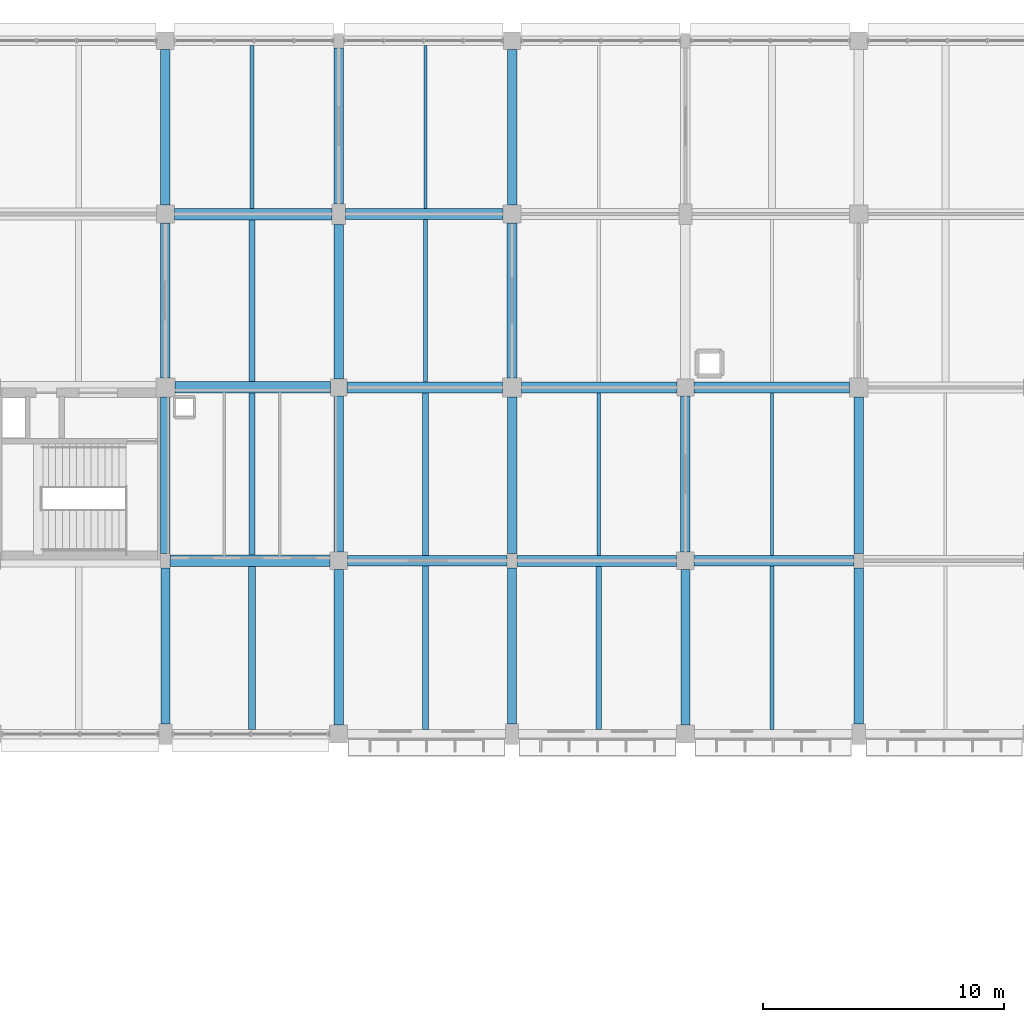
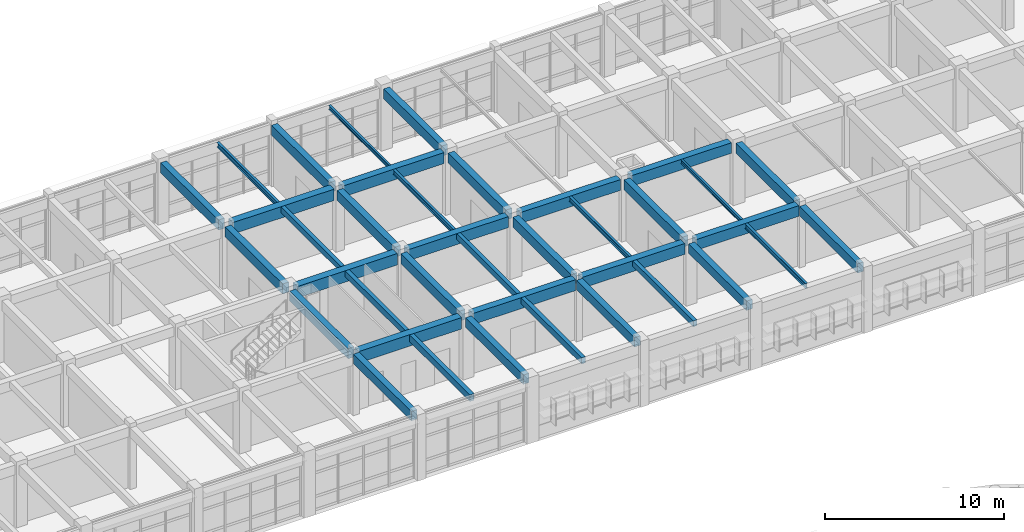
# One storey, part 78 of 171: 38 beams.
"""IFC4 building model written with IfcOpenShell, lengths in metres."""

from ifc_helpers import new_model, si_unit, direction, frame, origin, origin_2d, place, context, subcontext, project, spatial, rectangle, i_section, extrude, material, material_profile, profile_set, type_object, element, save


model = new_model("IFC4")

# Units and contexts
model_context = context("Model", 3, precision=1e-05, world=origin(), true_north=direction((0.0, 1.0)))
body_context = subcontext(model_context, "Body", "Model", "MODEL_VIEW")
ifc_project = project(units=[si_unit("LENGTHUNIT", "METRE"), si_unit("AREAUNIT", "SQUARE_METRE"), si_unit("VOLUMEUNIT", "CUBIC_METRE"), si_unit("PLANEANGLEUNIT", "RADIAN"), si_unit("MASSUNIT", "GRAM", prefix="KILO")], contexts=[model_context])

# Site, building, storey
site_placement = place(None, origin())
site = spatial("IfcSite", under=ifc_project, at=site_placement, CompositionType="ELEMENT")
building_placement = place(site_placement, origin())
building = spatial("IfcBuilding", under=site, at=building_placement, Name="Thalmaran Polytechnic", CompositionType="ELEMENT")
storey_placement = place(building_placement, frame((0.0, 0.0, 5.39990234375)))
storey = spatial("IfcBuildingStorey", under=building, at=storey_placement, Name="L01", CompositionType="ELEMENT", Elevation=5.39990234375)

# Beams
ifc_material_1 = material(Name="Concrete C40/50", Category="concrete")
ifc_material_profile_1 = material_profile(ifc_material_1, rectangle(XDim=0.449951171875, YDim=0.75, at=origin_2d()), Name="RC 450x750")
ifc_profile_set_1 = profile_set([ifc_material_profile_1], Name="Concrete C40/50")
beam_type_1 = type_object("IfcBeamType", Name="BM-RC03", PredefinedType="BEAM", material=ifc_profile_set_1)
beam_1_placement = place(storey_placement, frame((72.360107421875, 100.800048828125, 3.835205078125), z_axis=(1.0, 0.0, 0.0), x_axis=(0.0, 1.0, 0.0)))
element("IfcBeam", 1, at=beam_1_placement, inside=storey, type_object=beam_type_1, Name="Grid Beam B03 L01 X(10,14)", PredefinedType="BEAM", context=body_context, shape_type="SweptSolid", body=[
    extrude(rectangle(XDim=0.449951171875, YDim=0.75, at=origin_2d()), origin(), (0.0, 0.0, 1.0), 6.639892578125),
])
beam_2_placement = place(storey_placement, frame((72.35009765625, 108.0, 3.835205078125), z_axis=(1.0, 0.0, 0.0), x_axis=(0.0, 1.0, 0.0)))
element("IfcBeam", 2, at=beam_2_placement, inside=storey, type_object=beam_type_1, Name="Grid Beam B03 L01 X(10,15)", PredefinedType="BEAM", context=body_context, shape_type="SweptSolid", body=[
    extrude(rectangle(XDim=0.449951171875, YDim=0.75, at=origin_2d()), origin(), (0.0, 0.0, 1.0), 6.4599609375),
])
beam_3_placement = place(storey_placement, frame((72.27490234375, 115.199951171875, 3.835205078125), z_axis=(1.0, 0.0, 0.0), x_axis=(0.0, 1.0, 0.0)))
element("IfcBeam", 3, at=beam_3_placement, inside=storey, type_object=beam_type_1, Name="Grid Beam B03 L01 X(10,16)", PredefinedType="BEAM", context=body_context, shape_type="SweptSolid", body=[
    extrude(rectangle(XDim=0.449951171875, YDim=0.75, at=origin_2d()), origin(), (0.0, 0.0, 1.0), 6.550048828125),
])
ifc_material_profile_2 = material_profile(ifc_material_1, rectangle(XDim=0.449951171875, YDim=0.72509765625, at=origin_2d()), Name="RC 450x725")
ifc_profile_set_2 = profile_set([ifc_material_profile_2], Name="Concrete C40/50")
beam_type_2 = type_object("IfcBeamType", Name="BM-RC04", PredefinedType="BEAM", material=ifc_profile_set_2)
beam_4_placement = place(storey_placement, frame((86.760009765625, 100.800048828125, 3.84765625), z_axis=(1.0, 0.0, 0.0), x_axis=(0.0, 1.0, 0.0)))
element("IfcBeam", 4, at=beam_4_placement, inside=storey, type_object=beam_type_2, Name="Grid Beam B04 L01 X(12,14)", PredefinedType="BEAM", context=body_context, shape_type="SweptSolid", body=[
    extrude(rectangle(XDim=0.449951171875, YDim=0.72509765625, at=origin_2d()), origin(), (0.0, 0.0, 1.0), 6.639892578125),
])
beam_5_placement = place(storey_placement, frame((86.75, 108.0, 3.84765625), z_axis=(1.0, 0.0, 0.0), x_axis=(0.0, 1.0, 0.0)))
element("IfcBeam", 5, at=beam_5_placement, inside=storey, type_object=beam_type_2, Name="Grid Beam B04 L01 X(12,15)", PredefinedType="BEAM", context=body_context, shape_type="SweptSolid", body=[
    extrude(rectangle(XDim=0.449951171875, YDim=0.72509765625, at=origin_2d()), origin(), (0.0, 0.0, 1.0), 6.4599609375),
])
ifc_material_profile_3 = material_profile(ifc_material_1, rectangle(XDim=0.389892578125, YDim=0.68505859375, at=origin_2d()), Name="RC 390x685")
ifc_profile_set_3 = profile_set([ifc_material_profile_3], Name="Concrete C40/50")
beam_type_3 = type_object("IfcBeamType", Name="BM-RC08", PredefinedType="BEAM", material=ifc_profile_set_3)
beam_6_placement = place(storey_placement, frame((64.800048828125, 101.10009765625, 3.86767578125), z_axis=(0.0, 1.0, 0.0), x_axis=(-1.0, 0.0, 0.0)))
element("IfcBeam", 6, at=beam_6_placement, inside=storey, type_object=beam_type_3, Name="Grid Beam B08 L01 Y(9,14)", PredefinedType="BEAM", context=body_context, shape_type="SweptSolid", body=[
    extrude(rectangle(XDim=0.389892578125, YDim=0.68505859375, at=origin_2d()), origin(), (0.0, 0.0, 1.0), 6.510009765625),
])
beam_7_placement = place(storey_placement, frame((72.0, 101.159912109375, 3.86767578125), z_axis=(0.0, 1.0, 0.0), x_axis=(-1.0, 0.0, 0.0)))
element("IfcBeam", 7, at=beam_7_placement, inside=storey, type_object=beam_type_3, Name="Grid Beam B08 L01 Y(10,14)", PredefinedType="BEAM", context=body_context, shape_type="SweptSolid", body=[
    extrude(rectangle(XDim=0.389892578125, YDim=0.68505859375, at=origin_2d()), origin(), (0.0, 0.0, 1.0), 6.489990234375),
])
beam_8_placement = place(storey_placement, frame((79.199951171875, 101.10009765625, 3.86767578125), z_axis=(0.0, 1.0, 0.0), x_axis=(-1.0, 0.0, 0.0)))
element("IfcBeam", 8, at=beam_8_placement, inside=storey, type_object=beam_type_3, Name="Grid Beam B08 L01 Y(11,14)", PredefinedType="BEAM", context=body_context, shape_type="SweptSolid", body=[
    extrude(rectangle(XDim=0.389892578125, YDim=0.68505859375, at=origin_2d()), origin(), (0.0, 0.0, 1.0), 6.510009765625),
])
beam_9_placement = place(storey_placement, frame((86.39990234375, 101.159912109375, 3.86767578125), z_axis=(0.0, 1.0, 0.0), x_axis=(-1.0, 0.0, 0.0)))
element("IfcBeam", 9, at=beam_9_placement, inside=storey, type_object=beam_type_3, Name="Grid Beam B08 L01 Y(12,14)", PredefinedType="BEAM", context=body_context, shape_type="SweptSolid", body=[
    extrude(rectangle(XDim=0.389892578125, YDim=0.68505859375, at=origin_2d()), origin(), (0.0, 0.0, 1.0), 6.489990234375),
])
beam_10_placement = place(storey_placement, frame((93.60009765625, 101.10009765625, 3.86767578125), z_axis=(0.0, 1.0, 0.0), x_axis=(-1.0, 0.0, 0.0)))
element("IfcBeam", 10, at=beam_10_placement, inside=storey, type_object=beam_type_3, Name="Grid Beam B08 L01 Y(13,14)", PredefinedType="BEAM", context=body_context, shape_type="SweptSolid", body=[
    extrude(rectangle(XDim=0.389892578125, YDim=0.68505859375, at=origin_2d()), origin(), (0.0, 0.0, 1.0), 6.510009765625),
])
ifc_material_profile_4 = material_profile(ifc_material_1, rectangle(XDim=0.389892578125, YDim=0.68994140625, at=origin_2d()), Name="RC 390x690")
ifc_profile_set_4 = profile_set([ifc_material_profile_4], Name="Concrete C40/50")
beam_type_4 = type_object("IfcBeamType", Name="BM-RC09", PredefinedType="BEAM", material=ifc_profile_set_4)
beam_11_placement = place(storey_placement, frame((64.800048828125, 115.574951171875, 3.864990234375), z_axis=(0.0, 1.0, 0.0), x_axis=(-1.0, 0.0, 0.0)))
element("IfcBeam", 11, at=beam_11_placement, inside=storey, type_object=beam_type_4, Name="Grid Beam B09 L01 Y(9,16)", PredefinedType="BEAM", context=body_context, shape_type="SweptSolid", body=[
    extrude(rectangle(XDim=0.389892578125, YDim=0.68994140625, at=origin_2d()), origin(), (0.0, 0.0, 1.0), 6.465087890625),
])
beam_12_placement = place(storey_placement, frame((72.0, 115.625, 3.864990234375), z_axis=(0.0, 1.0, 0.0), x_axis=(-1.0, 0.0, 0.0)))
element("IfcBeam", 12, at=beam_12_placement, inside=storey, type_object=beam_type_4, Name="Grid Beam B09 L01 Y(10,16)", PredefinedType="BEAM", context=body_context, shape_type="SweptSolid", body=[
    extrude(rectangle(XDim=0.389892578125, YDim=0.68994140625, at=origin_2d()), origin(), (0.0, 0.0, 1.0), 6.47509765625),
])
beam_13_placement = place(storey_placement, frame((79.199951171875, 115.574951171875, 3.864990234375), z_axis=(0.0, 1.0, 0.0), x_axis=(-1.0, 0.0, 0.0)))
element("IfcBeam", 13, at=beam_13_placement, inside=storey, type_object=beam_type_4, Name="Grid Beam B09 L01 Y(11,16)", PredefinedType="BEAM", context=body_context, shape_type="SweptSolid", body=[
    extrude(rectangle(XDim=0.389892578125, YDim=0.68994140625, at=origin_2d()), origin(), (0.0, 0.0, 1.0), 6.465087890625),
])
ifc_material_profile_5 = material_profile(ifc_material_1, rectangle(XDim=0.280029296875, YDim=0.449951171875, at=origin_2d()), Name="RC 280x450")
ifc_profile_set_5 = profile_set([ifc_material_profile_5], Name="Concrete C40/50")
beam_type_5 = type_object("IfcBeamType", Name="BM-RC13", PredefinedType="JOIST", material=ifc_profile_set_5)
beam_14_placement = place(storey_placement, frame((68.39990234375, 93.800048828125, 3.985107421875), z_axis=(0.0, 1.0, 0.0), x_axis=(-1.0, 0.0, 0.0)))
element("IfcBeam", 14, at=beam_14_placement, inside=storey, type_object=beam_type_5, Name="Secondary Floor Rib RB03 L01 (9,13)", PredefinedType="JOIST", context=body_context, shape_type="SweptSolid", body=[
    extrude(rectangle(XDim=0.280029296875, YDim=0.449951171875, at=origin_2d()), origin(), (0.0, 0.0, 1.0), 6.760009765625),
])
ifc_material_2 = material(Name="Steel S355", Category="steel")
ifc_material_profile_6 = material_profile(ifc_material_2, i_section(OverallWidth=0.159912109375, OverallDepth=0.330078125, WebThickness=0.007568359375, FlangeThickness=0.011474609375, at=origin_2d()), Name="IPE 330")
ifc_profile_set_6 = profile_set([ifc_material_profile_6], Name="Steel S355")
beam_type_6 = type_object("IfcBeamType", Name="BM-SJ02", PredefinedType="JOIST", material=ifc_profile_set_6)
beam_15_placement = place(storey_placement, frame((68.39990234375, 115.43994140625, 4.045166015625), z_axis=(0.0, 1.0, 0.0), x_axis=(-1.0, 0.0, 0.0)))
element("IfcBeam", 15, at=beam_15_placement, inside=storey, type_object=beam_type_6, Name="Secondary Floor Rib SJ02 L01 (9,16)", PredefinedType="JOIST", context=body_context, shape_type="SweptSolid", body=[
    extrude(i_section(OverallWidth=0.159912109375, OverallDepth=0.330078125, WebThickness=0.007568359375, FlangeThickness=0.011474609375, at=origin_2d()), origin(), (0.0, 0.0, 1.0), 6.760009765625),
])
beam_16_placement = place(storey_placement, frame((75.60009765625, 108.22509765625, 4.045166015625), z_axis=(0.0, 1.0, 0.0), x_axis=(-1.0, 0.0, 0.0)))
element("IfcBeam", 16, at=beam_16_placement, inside=storey, type_object=beam_type_6, Name="Secondary Floor Rib SJ02 L01 (10,15)", PredefinedType="JOIST", context=body_context, shape_type="SweptSolid", body=[
    extrude(i_section(OverallWidth=0.159912109375, OverallDepth=0.330078125, WebThickness=0.007568359375, FlangeThickness=0.011474609375, at=origin_2d()), origin(), (0.0, 0.0, 1.0), 6.75),
])
beam_17_placement = place(storey_placement, frame((82.800048828125, 101.030029296875, 4.045166015625), z_axis=(0.0, 1.0, 0.0), x_axis=(-1.0, 0.0, 0.0)))
element("IfcBeam", 17, at=beam_17_placement, inside=storey, type_object=beam_type_6, Name="Secondary Floor Rib SJ02 L01 (11,14)", PredefinedType="JOIST", context=body_context, shape_type="SweptSolid", body=[
    extrude(i_section(OverallWidth=0.159912109375, OverallDepth=0.330078125, WebThickness=0.007568359375, FlangeThickness=0.011474609375, at=origin_2d()), origin(), (0.0, 0.0, 1.0), 6.739990234375),
])
beam_18_placement = place(storey_placement, frame((90.0, 93.800048828125, 4.045166015625), z_axis=(0.0, 1.0, 0.0), x_axis=(-1.0, 0.0, 0.0)))
element("IfcBeam", 18, at=beam_18_placement, inside=storey, type_object=beam_type_6, Name="Secondary Floor Rib SJ02 L01 (12,13)", PredefinedType="JOIST", context=body_context, shape_type="SweptSolid", body=[
    extrude(i_section(OverallWidth=0.159912109375, OverallDepth=0.330078125, WebThickness=0.007568359375, FlangeThickness=0.011474609375, at=origin_2d()), origin(), (0.0, 0.0, 1.0), 6.77490234375),
])
ifc_material_profile_7 = material_profile(ifc_material_2, i_section(OverallWidth=0.135009765625, OverallDepth=0.27001953125, WebThickness=0.006591796875, FlangeThickness=0.01025390625, at=origin_2d()), Name="IPE 270")
ifc_profile_set_7 = profile_set([ifc_material_profile_7], Name="Steel S355")
beam_type_7 = type_object("IfcBeamType", Name="BM-SJ03", PredefinedType="JOIST", material=ifc_profile_set_7)
beam_19_placement = place(storey_placement, frame((75.60009765625, 115.425048828125, 4.0751953125), z_axis=(0.0, 1.0, 0.0), x_axis=(-1.0, 0.0, 0.0)))
element("IfcBeam", 19, at=beam_19_placement, inside=storey, type_object=beam_type_7, Name="Secondary Floor Rib SJ03 L01 (10,16)", PredefinedType="JOIST", context=body_context, shape_type="SweptSolid", body=[
    extrude(i_section(OverallWidth=0.135009765625, OverallDepth=0.27001953125, WebThickness=0.006591796875, FlangeThickness=0.01025390625, at=origin_2d()), origin(), (0.0, 0.0, 1.0), 6.77490234375),
])
beam_20_placement = place(storey_placement, frame((90.0, 101.02490234375, 4.0751953125), z_axis=(0.0, 1.0, 0.0), x_axis=(-1.0, 0.0, 0.0)))
element("IfcBeam", 20, at=beam_20_placement, inside=storey, type_object=beam_type_7, Name="Secondary Floor Rib SJ03 L01 (12,14)", PredefinedType="JOIST", context=body_context, shape_type="SweptSolid", body=[
    extrude(i_section(OverallWidth=0.135009765625, OverallDepth=0.27001953125, WebThickness=0.006591796875, FlangeThickness=0.01025390625, at=origin_2d()), origin(), (0.0, 0.0, 1.0), 6.75),
])
ifc_material_profile_8 = material_profile(ifc_material_1, rectangle(XDim=0.47998046875, YDim=0.780029296875, at=origin_2d()), Name="RC 480x780")
ifc_profile_set_8 = profile_set([ifc_material_profile_8], Name="Concrete C40/50")
beam_type_8 = type_object("IfcBeamType", Name="BM-ZB01", PredefinedType="BEAM", material=ifc_profile_set_8)
beam_21_placement = place(storey_placement, frame((65.0, 100.800048828125, 3.820068359375), z_axis=(1.0, 0.0, 0.0), x_axis=(0.0, 1.0, 0.0)))
element("IfcBeam", 21, at=beam_21_placement, inside=storey, type_object=beam_type_8, Name="Grid Beam ZB01 L01 X(9,14)", PredefinedType="BEAM", context=body_context, shape_type="SweptSolid", body=[
    extrude(rectangle(XDim=0.47998046875, YDim=0.780029296875, at=origin_2d()), origin(), (0.0, 0.0, 1.0), 6.639892578125),
])
beam_22_placement = place(storey_placement, frame((65.18994140625, 108.0, 3.820068359375), z_axis=(1.0, 0.0, 0.0), x_axis=(0.0, 1.0, 0.0)))
element("IfcBeam", 22, at=beam_22_placement, inside=storey, type_object=beam_type_8, Name="Grid Beam ZB01 L01 X(9,15)", PredefinedType="BEAM", context=body_context, shape_type="SweptSolid", body=[
    extrude(rectangle(XDim=0.47998046875, YDim=0.780029296875, at=origin_2d()), origin(), (0.0, 0.0, 1.0), 6.4599609375),
])
beam_23_placement = place(storey_placement, frame((65.175048828125, 115.199951171875, 3.820068359375), z_axis=(1.0, 0.0, 0.0), x_axis=(0.0, 1.0, 0.0)))
element("IfcBeam", 23, at=beam_23_placement, inside=storey, type_object=beam_type_8, Name="Grid Beam ZB01 L01 X(9,16)", PredefinedType="BEAM", context=body_context, shape_type="SweptSolid", body=[
    extrude(rectangle(XDim=0.47998046875, YDim=0.780029296875, at=origin_2d()), origin(), (0.0, 0.0, 1.0), 6.550048828125),
])
ifc_material_profile_9 = material_profile(ifc_material_1, rectangle(XDim=0.4599609375, YDim=0.739990234375, at=origin_2d()), Name="RC 460x740")
ifc_profile_set_9 = profile_set([ifc_material_profile_9], Name="Concrete C40/50")
beam_type_9 = type_object("IfcBeamType", Name="BM-ZB02", PredefinedType="BEAM", material=ifc_profile_set_9)
beam_24_placement = place(storey_placement, frame((79.39990234375, 100.800048828125, 3.840087890625), z_axis=(1.0, 0.0, 0.0), x_axis=(0.0, 1.0, 0.0)))
element("IfcBeam", 24, at=beam_24_placement, inside=storey, type_object=beam_type_9, Name="Grid Beam ZB02 L01 X(11,14)", PredefinedType="BEAM", context=body_context, shape_type="SweptSolid", body=[
    extrude(rectangle(XDim=0.4599609375, YDim=0.739990234375, at=origin_2d()), origin(), (0.0, 0.0, 1.0), 6.64013671875),
])
beam_25_placement = place(storey_placement, frame((79.590087890625, 108.0, 3.840087890625), z_axis=(1.0, 0.0, 0.0), x_axis=(0.0, 1.0, 0.0)))
element("IfcBeam", 25, at=beam_25_placement, inside=storey, type_object=beam_type_9, Name="Grid Beam ZB02 L01 X(11,15)", PredefinedType="BEAM", context=body_context, shape_type="SweptSolid", body=[
    extrude(rectangle(XDim=0.4599609375, YDim=0.739990234375, at=origin_2d()), origin(), (0.0, 0.0, 1.0), 6.4599609375),
])
ifc_material_profile_10 = material_profile(ifc_material_1, rectangle(XDim=0.3798828125, YDim=0.635009765625, at=origin_2d()), Name="RC 380x635")
ifc_profile_set_10 = profile_set([ifc_material_profile_10], Name="Concrete C40/50")
beam_type_10 = type_object("IfcBeamType", Name="BM-ZB06", PredefinedType="BEAM", material=ifc_profile_set_10)
beam_26_placement = place(storey_placement, frame((64.800048828125, 94.02490234375, 3.892578125), z_axis=(0.0, 1.0, 0.0), x_axis=(-1.0, 0.0, 0.0)))
element("IfcBeam", 26, at=beam_26_placement, inside=storey, type_object=beam_type_10, Name="Grid Beam ZB06 L01 Y(9,13)", PredefinedType="BEAM", context=body_context, shape_type="SweptSolid", body=[
    extrude(rectangle(XDim=0.3798828125, YDim=0.635009765625, at=origin_2d()), origin(), (0.0, 0.0, 1.0), 6.47509765625),
])
beam_27_placement = place(storey_placement, frame((72.0, 93.97509765625, 3.892578125), z_axis=(0.0, 1.0, 0.0), x_axis=(-1.0, 0.0, 0.0)))
element("IfcBeam", 27, at=beam_27_placement, inside=storey, type_object=beam_type_10, Name="Grid Beam ZB06 L01 Y(10,13)", PredefinedType="BEAM", context=body_context, shape_type="SweptSolid", body=[
    extrude(rectangle(XDim=0.3798828125, YDim=0.635009765625, at=origin_2d()), origin(), (0.0, 0.0, 1.0), 6.46484375),
])
beam_28_placement = place(storey_placement, frame((79.199951171875, 94.02490234375, 3.892578125), z_axis=(0.0, 1.0, 0.0), x_axis=(-1.0, 0.0, 0.0)))
element("IfcBeam", 28, at=beam_28_placement, inside=storey, type_object=beam_type_10, Name="Grid Beam ZB06 L01 Y(11,13)", PredefinedType="BEAM", context=body_context, shape_type="SweptSolid", body=[
    extrude(rectangle(XDim=0.3798828125, YDim=0.635009765625, at=origin_2d()), origin(), (0.0, 0.0, 1.0), 6.47509765625),
])
beam_29_placement = place(storey_placement, frame((86.39990234375, 93.97509765625, 3.892578125), z_axis=(0.0, 1.0, 0.0), x_axis=(-1.0, 0.0, 0.0)))
element("IfcBeam", 29, at=beam_29_placement, inside=storey, type_object=beam_type_10, Name="Grid Beam ZB06 L01 Y(12,13)", PredefinedType="BEAM", context=body_context, shape_type="SweptSolid", body=[
    extrude(rectangle(XDim=0.3798828125, YDim=0.635009765625, at=origin_2d()), origin(), (0.0, 0.0, 1.0), 6.46484375),
])
beam_30_placement = place(storey_placement, frame((93.60009765625, 94.02490234375, 3.892578125), z_axis=(0.0, 1.0, 0.0), x_axis=(-1.0, 0.0, 0.0)))
element("IfcBeam", 30, at=beam_30_placement, inside=storey, type_object=beam_type_10, Name="Grid Beam ZB06 L01 Y(13,13)", PredefinedType="BEAM", context=body_context, shape_type="SweptSolid", body=[
    extrude(rectangle(XDim=0.3798828125, YDim=0.635009765625, at=origin_2d()), origin(), (0.0, 0.0, 1.0), 6.47509765625),
])
ifc_material_profile_11 = material_profile(ifc_material_1, rectangle(XDim=0.39990234375, YDim=0.68505859375, at=origin_2d()), Name="RC 400x685")
ifc_profile_set_11 = profile_set([ifc_material_profile_11], Name="Concrete C40/50")
beam_type_11 = type_object("IfcBeamType", Name="BM-ZB07", PredefinedType="BEAM", material=ifc_profile_set_11)
beam_31_placement = place(storey_placement, frame((64.800048828125, 108.389892578125, 3.86767578125), z_axis=(0.0, 1.0, 0.0), x_axis=(-1.0, 0.0, 0.0)))
element("IfcBeam", 31, at=beam_31_placement, inside=storey, type_object=beam_type_11, Name="Grid Beam ZB07 L01 Y(9,15)", PredefinedType="BEAM", context=body_context, shape_type="SweptSolid", body=[
    extrude(rectangle(XDim=0.39990234375, YDim=0.68505859375, at=origin_2d()), origin(), (0.0, 0.0, 1.0), 6.43505859375),
])
beam_32_placement = place(storey_placement, frame((72.0, 108.35009765625, 3.86767578125), z_axis=(0.0, 1.0, 0.0), x_axis=(-1.0, 0.0, 0.0)))
element("IfcBeam", 32, at=beam_32_placement, inside=storey, type_object=beam_type_11, Name="Grid Beam ZB07 L01 Y(10,15)", PredefinedType="BEAM", context=body_context, shape_type="SweptSolid", body=[
    extrude(rectangle(XDim=0.39990234375, YDim=0.68505859375, at=origin_2d()), origin(), (0.0, 0.0, 1.0), 6.4248046875),
])
beam_33_placement = place(storey_placement, frame((79.199951171875, 108.389892578125, 3.86767578125), z_axis=(0.0, 1.0, 0.0), x_axis=(-1.0, 0.0, 0.0)))
element("IfcBeam", 33, at=beam_33_placement, inside=storey, type_object=beam_type_11, Name="Grid Beam ZB07 L01 Y(11,15)", PredefinedType="BEAM", context=body_context, shape_type="SweptSolid", body=[
    extrude(rectangle(XDim=0.39990234375, YDim=0.68505859375, at=origin_2d()), origin(), (0.0, 0.0, 1.0), 6.43505859375),
])
ifc_material_profile_12 = material_profile(ifc_material_1, rectangle(XDim=0.25, YDim=0.419921875, at=origin_2d()), Name="RC 250x420")
ifc_profile_set_12 = profile_set([ifc_material_profile_12], Name="Concrete C40/50")
beam_type_12 = type_object("IfcBeamType", Name="BM-ZJ03", PredefinedType="JOIST", material=ifc_profile_set_12)
beam_34_placement = place(storey_placement, frame((68.39990234375, 101.0400390625, 4.0), z_axis=(0.0, 1.0, 0.0), x_axis=(-1.0, 0.0, 0.0)))
element("IfcBeam", 34, at=beam_34_placement, inside=storey, type_object=beam_type_12, Name="Secondary Floor Rib ZJ03 L01 (9,14)", PredefinedType="JOIST", context=body_context, shape_type="SweptSolid", body=[
    extrude(rectangle(XDim=0.25, YDim=0.419921875, at=origin_2d()), origin(), (0.0, 0.0, 1.0), 6.719970703125),
])
beam_35_placement = place(storey_placement, frame((75.60009765625, 93.800048828125, 4.0), z_axis=(0.0, 1.0, 0.0), x_axis=(-1.0, 0.0, 0.0)))
element("IfcBeam", 35, at=beam_35_placement, inside=storey, type_object=beam_type_12, Name="Secondary Floor Rib ZJ03 L01 (10,13)", PredefinedType="JOIST", context=body_context, shape_type="SweptSolid", body=[
    extrude(rectangle(XDim=0.25, YDim=0.419921875, at=origin_2d()), origin(), (0.0, 0.0, 1.0), 6.77490234375),
])
ifc_material_profile_13 = material_profile(ifc_material_1, rectangle(XDim=0.239990234375, YDim=0.39990234375, at=origin_2d()), Name="RC 240x400")
ifc_profile_set_13 = profile_set([ifc_material_profile_13], Name="Concrete C40/50")
beam_type_13 = type_object("IfcBeamType", Name="BM-ZJ04", PredefinedType="JOIST", material=ifc_profile_set_13)
beam_36_placement = place(storey_placement, frame((68.39990234375, 108.239990234375, 4.010009765625), z_axis=(0.0, 1.0, 0.0), x_axis=(-1.0, 0.0, 0.0)))
element("IfcBeam", 36, at=beam_36_placement, inside=storey, type_object=beam_type_13, Name="Secondary Floor Rib ZJ04 L01 (9,15)", PredefinedType="JOIST", context=body_context, shape_type="SweptSolid", body=[
    extrude(rectangle(XDim=0.239990234375, YDim=0.39990234375, at=origin_2d()), origin(), (0.0, 0.0, 1.0), 6.719970703125),
])
beam_37_placement = place(storey_placement, frame((75.60009765625, 101.02490234375, 4.010009765625), z_axis=(0.0, 1.0, 0.0), x_axis=(-1.0, 0.0, 0.0)))
element("IfcBeam", 37, at=beam_37_placement, inside=storey, type_object=beam_type_13, Name="Secondary Floor Rib ZJ04 L01 (10,14)", PredefinedType="JOIST", context=body_context, shape_type="SweptSolid", body=[
    extrude(rectangle(XDim=0.239990234375, YDim=0.39990234375, at=origin_2d()), origin(), (0.0, 0.0, 1.0), 6.75),
])
beam_38_placement = place(storey_placement, frame((82.800048828125, 93.800048828125, 4.010009765625), z_axis=(0.0, 1.0, 0.0), x_axis=(-1.0, 0.0, 0.0)))
element("IfcBeam", 38, at=beam_38_placement, inside=storey, type_object=beam_type_13, Name="Secondary Floor Rib ZJ04 L01 (11,13)", PredefinedType="JOIST", context=body_context, shape_type="SweptSolid", body=[
    extrude(rectangle(XDim=0.239990234375, YDim=0.39990234375, at=origin_2d()), origin(), (0.0, 0.0, 1.0), 6.77001953125),
])

save(model, "model.ifc")
